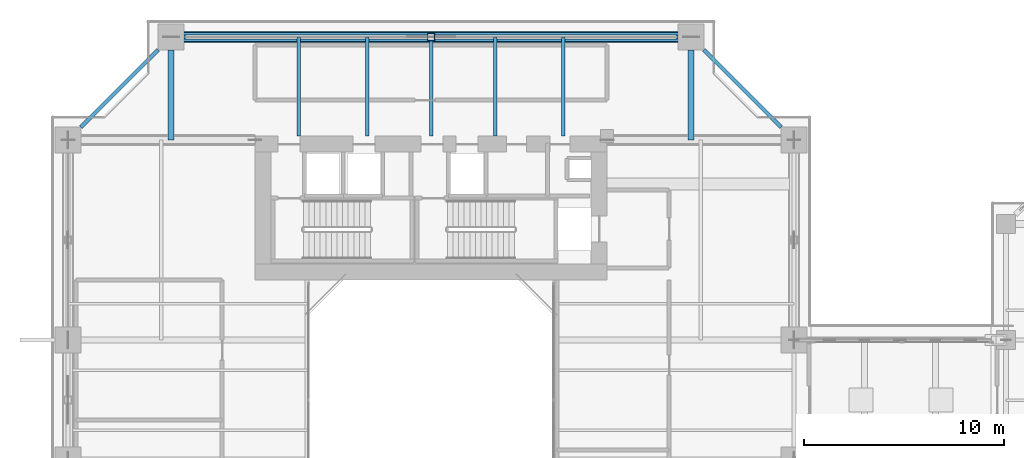
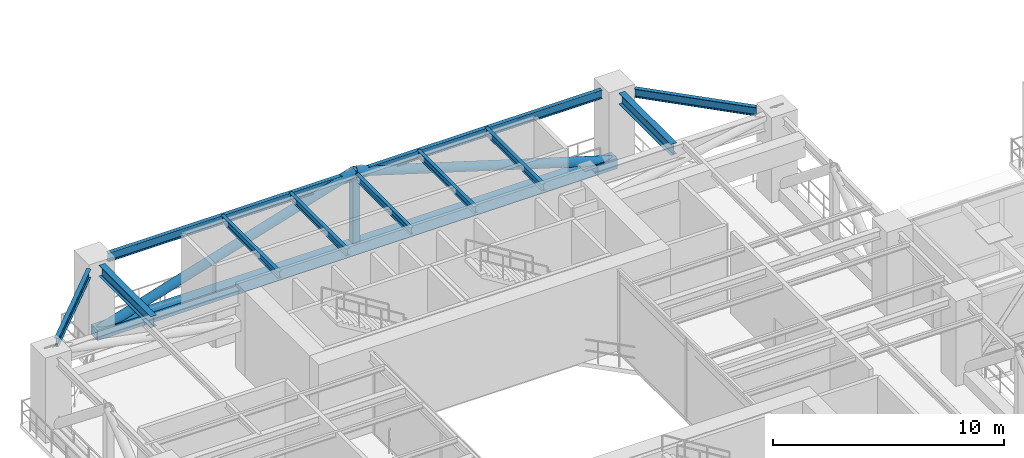
# One storey, part 9 of 26: 10 beams, 4 members.
"""IFC4 building model written with IfcOpenShell, lengths in metres."""

import ifcopenshell
import ifcopenshell.guid

model = None  # the IFC model being written
_history = None  # IfcOwnerHistory: only IFC2X3 demands one
_inside = {}  # id of a spatial element -> (the spatial element, [elements in it])
_under = {}  # id of a project, library or spatial element -> (it, [spatial elements below it])
_declared = {}  # id of a project -> (the project, [libraries it declares])
_typed = {}  # id of a type object -> (the type object, [elements of that type])
_made_of = {}  # id of a material, layer set ... -> (it, [elements and type objects made of it])


def new_model(schema):
    """Start an empty IFC model of exactly this schema.

    Asked for "IFC4X3", IfcOpenShell would pick the latest addendum, in which some entities
    have other attributes; the version numbers below select the first issue.
    IFC2X3 requires an IfcOwnerHistory on every rooted entity: one is made here for all.
    """
    global model, _history
    if schema == "IFC4X3":
        model = ifcopenshell.file(schema_version=(4, 3, 0, 0))
    else:
        model = ifcopenshell.file(schema=schema)
    _inside.clear()
    _under.clear()
    _declared.clear()
    _typed.clear()
    _made_of.clear()
    _history = None
    if model.schema == "IFC2X3":
        org = make("IfcOrganization", Name="unknown")
        user = make(
            "IfcPersonAndOrganization",
            ThePerson=make("IfcPerson", FamilyName="unknown"),
            TheOrganization=org,
        )
        app = make(
            "IfcApplication",
            ApplicationDeveloper=org,
            Version="unknown",
            ApplicationFullName="unknown",
            ApplicationIdentifier="unknown",
        )
        _history = make(
            "IfcOwnerHistory",
            OwningUser=user,
            OwningApplication=app,
            ChangeAction="ADDED",
            CreationDate=0,
        )
    return model


def make(cls, **values):
    """One entity of the class cls with the attributes given. An attribute that is None is left unset."""
    return model.create_entity(
        cls, **{name: value for name, value in values.items() if value is not None}
    )


def rooted(cls, **values):
    """An entity with a GlobalId (a new one), such as an element, a storey or a relation."""
    return make(cls, GlobalId=ifcopenshell.guid.new(), OwnerHistory=_history, **values)


def si_unit(unit_type, name, prefix=None):
    """IfcSIUnit, for example si_unit("LENGTHUNIT", "METRE", prefix="MILLI")."""
    return make("IfcSIUnit", UnitType=unit_type, Prefix=prefix, Name=name)


def assignment(units):
    """IfcUnitAssignment: the units of a project."""
    return None if units is None else make("IfcUnitAssignment", Units=units)


def point(xyz):
    """IfcCartesianPoint."""
    return None if xyz is None else make("IfcCartesianPoint", Coordinates=xyz)


def direction(xyz):
    """IfcDirection."""
    return None if xyz is None else make("IfcDirection", DirectionRatios=xyz)


def frame(location, z_axis=None, x_axis=None):
    """IfcAxis2Placement3D, a coordinate frame: its origin and axes. An axis left out is left unset."""
    return make(
        "IfcAxis2Placement3D",
        Location=point(location),
        Axis=direction(z_axis),
        RefDirection=direction(x_axis),
    )


def frame_2d(location, x_axis=None):
    """IfcAxis2Placement2D, a coordinate frame in the plane: its origin and x axis."""
    return make(
        "IfcAxis2Placement2D", Location=point(location), RefDirection=direction(x_axis)
    )


def origin():
    """The frame at (0, 0, 0) with its axes left unset."""
    return frame((0.0, 0.0, 0.0))


def origin_2d():
    """The frame at (0, 0) in the plane with its x axis left unset."""
    return frame_2d((0.0, 0.0))


def place(relative_to, where):
    """IfcLocalPlacement: puts the frame where relative to a parent placement (None: the world)."""
    return make(
        "IfcLocalPlacement", PlacementRelTo=relative_to, RelativePlacement=where
    )


def context(
    kind, dimensions, precision=None, world=None, true_north=None, identifier=None
):
    """IfcGeometricRepresentationContext, for example the 3D "Model" context."""
    return make(
        "IfcGeometricRepresentationContext",
        ContextIdentifier=identifier,
        ContextType=kind,
        CoordinateSpaceDimension=dimensions,
        Precision=precision,
        WorldCoordinateSystem=world,
        TrueNorth=true_north,
    )


def subcontext(parent, identifier, kind, view, scale=None):
    """IfcGeometricRepresentationSubContext, for example "Body" below "Model"."""
    return make(
        "IfcGeometricRepresentationSubContext",
        ContextIdentifier=identifier,
        ContextType=kind,
        ParentContext=parent,
        TargetScale=scale,
        TargetView=view,
    )


def project(units=None, contexts=None):
    """IfcProject with its units and contexts."""
    return rooted(
        "IfcProject",
        Name="project",
        RepresentationContexts=contexts,
        UnitsInContext=assignment(units),
    )


def spatial(cls, under=None, at=None, **own):
    """A site, building, storey or space (cls), placed at a placement, below another one or the project."""
    s = rooted(cls, ObjectPlacement=at, **own)
    if under is not None:
        _under.setdefault(under.id(), (under, []))[1].append(s)
    return s


def profile(cls, at=None, kind="AREA", **sizes):
    """A parametric profile (cls). Its sizes go by their IFC names, for example OverallWidth=200.0."""
    return make(cls, ProfileType=kind, Position=at, **sizes)


def hollow_rectangle(**sizes):
    """IfcRectangleHollowProfileDef."""
    return profile("IfcRectangleHollowProfileDef", **sizes)


def hollow_circle(**sizes):
    """IfcCircleHollowProfileDef."""
    return profile("IfcCircleHollowProfileDef", **sizes)


def i_section(**sizes):
    """IfcIShapeProfileDef."""
    return profile("IfcIShapeProfileDef", **sizes)


def extrude(swept, where, along, depth):
    """IfcExtrudedAreaSolid: the profile swept, set in the frame where, extruded along a direction by depth."""
    return make(
        "IfcExtrudedAreaSolid",
        SweptArea=swept,
        Position=where,
        ExtrudedDirection=direction(along),
        Depth=depth,
    )


def shape(context_of_items, identifier, shape_type, items):
    """IfcShapeRepresentation: the items that make up one representation, for example the "Body"."""
    return make(
        "IfcShapeRepresentation",
        ContextOfItems=context_of_items,
        RepresentationIdentifier=identifier,
        RepresentationType=shape_type,
        Items=items,
    )


def source(mapping_origin, context_of_items, identifier, shape_type, items):
    """IfcRepresentationMap: a shape defined once, which mapped items show again and again."""
    return make(
        "IfcRepresentationMap",
        MappingOrigin=mapping_origin,
        MappedRepresentation=shape(context_of_items, identifier, shape_type, items),
    )


def transform(
    local_origin,
    x_axis=None,
    y_axis=None,
    z_axis=None,
    scale=None,
    scale2=None,
    scale3=None,
    uniform=True,
):
    """IfcCartesianTransformationOperator3D, or its non-uniform kind. x_axis, y_axis, z_axis: its Axis1, 2, 3."""
    if uniform:
        return make(
            "IfcCartesianTransformationOperator3D",
            Axis1=direction(x_axis),
            Axis2=direction(y_axis),
            LocalOrigin=point(local_origin),
            Scale=scale,
            Axis3=direction(z_axis),
        )
    return make(
        "IfcCartesianTransformationOperator3DnonUniform",
        Axis1=direction(x_axis),
        Axis2=direction(y_axis),
        LocalOrigin=point(local_origin),
        Scale=scale,
        Axis3=direction(z_axis),
        Scale2=scale2,
        Scale3=scale3,
    )


def mapped(mapping_source, mapping_target):
    """IfcMappedItem: shows the shape of a source again, moved by a transform."""
    return make(
        "IfcMappedItem", MappingSource=mapping_source, MappingTarget=mapping_target
    )


def material(Name=None, Category=None):
    """IfcMaterial."""
    return make("IfcMaterial", Name=Name, Category=Category)


def material_profile(
    of_material, cross_section, Name=None, Category=None, Priority=None
):
    """IfcMaterialProfile: a cross section and its material."""
    return make(
        "IfcMaterialProfile",
        Name=Name,
        Material=of_material,
        Profile=cross_section,
        Priority=Priority,
        Category=Category,
    )


def profile_set(profiles, Name=None, composite=None):
    """IfcMaterialProfileSet."""
    return make(
        "IfcMaterialProfileSet",
        Name=Name,
        MaterialProfiles=profiles,
        CompositeProfile=composite,
    )


def made_of(thing, what):
    """Note that an element or type object is made of a material, layer set ...; save() writes the relation."""
    if what is not None:
        _made_of.setdefault(what.id(), (what, []))[1].append(thing)
    return thing


def type_object(cls, material=None, **own):
    """A type object (cls), such as IfcWallType, which elements share."""
    return made_of(rooted(cls, **own), material)


def element(
    cls,
    number,
    at=None,
    inside=None,
    cuts=None,
    type_object=None,
    material=None,
    context=None,
    identifier="Body",
    shape_type=None,
    held_by="IfcProductDefinitionShape",
    body=None,
    shapes=None,
    **own,
):
    """One element of the class cls, such as IfcWall. Its Tag is "e" and its number.

    at: its placement. inside: the storey or other place that contains it. cuts: it is an
    opening in that element (IfcRelVoidsElement). A single representation is given by context,
    identifier, shape_type and body (its items); several are given by shapes. held_by: the class
    of the entity that holds the representations. save() writes the other relations.
    """
    e = rooted(cls, Tag="e%d" % number, ObjectPlacement=at, **own)
    if body is not None:
        shapes = [shape(context, identifier, shape_type, body)]
    if shapes is not None:
        e.Representation = make(held_by, Representations=shapes)
    if inside is not None:
        _inside.setdefault(inside.id(), (inside, []))[1].append(e)
    if cuts is not None:
        rooted(
            "IfcRelVoidsElement", RelatingBuildingElement=cuts, RelatedOpeningElement=e
        )
    if type_object is not None:
        _typed.setdefault(type_object.id(), (type_object, []))[1].append(e)
    return made_of(e, material)


def aggregate(whole, parts):
    """IfcRelAggregates: a whole, such as a stair, and the parts it consists of."""
    return rooted("IfcRelAggregates", RelatingObject=whole, RelatedObjects=parts)


def save(model, path):
    """Write the relations noted so far, then the file.

    IfcRelAggregates (storeys below a building ...), IfcRelContainedInSpatialStructure (elements
    in a storey), IfcRelDefinesByType, IfcRelAssociatesMaterial and IfcRelDeclares: one each for
    every whole, place, type object, material and project.
    """
    for whole, parts in _under.values():
        aggregate(whole, parts)
    for where, things in _inside.values():
        rooted(
            "IfcRelContainedInSpatialStructure",
            RelatedElements=things,
            RelatingStructure=where,
        )
    for kind, things in _typed.values():
        rooted("IfcRelDefinesByType", RelatedObjects=things, RelatingType=kind)
    for what, things in _made_of.values():
        rooted("IfcRelAssociatesMaterial", RelatedObjects=things, RelatingMaterial=what)
    for by, libraries in _declared.values():
        rooted("IfcRelDeclares", RelatingContext=by, RelatedDefinitions=libraries)
    model.write(path)


model = new_model("IFC4")

# Units and contexts
model_context = context("Model", 3, precision=1e-05, world=origin(), true_north=direction((0.0, 1.0)))
body_context = subcontext(model_context, "Body", "Model", "MODEL_VIEW")
ifc_project = project(units=[si_unit("LENGTHUNIT", "METRE"), si_unit("AREAUNIT", "SQUARE_METRE"), si_unit("VOLUMEUNIT", "CUBIC_METRE"), si_unit("PLANEANGLEUNIT", "RADIAN"), si_unit("MASSUNIT", "GRAM", prefix="KILO"), si_unit("THERMODYNAMICTEMPERATUREUNIT", "KELVIN"), si_unit("POWERUNIT", "WATT")], contexts=[model_context])

# Site, building, storey
site_placement = place(None, origin())
site = spatial("IfcSite", under=ifc_project, at=site_placement, CompositionType="ELEMENT")
building_placement = place(site_placement, origin())
building = spatial("IfcBuilding", under=site, at=building_placement, Name="Qiaomeng Ring Towers", CompositionType="ELEMENT")
storey_placement = place(building_placement, frame((0.0, 0.0, 45.75)))
storey = spatial("IfcBuildingStorey", under=building, at=storey_placement, Name="L12", CompositionType="ELEMENT", Elevation=45.75)

# Beams
ifc_material_1 = material(Name="Steel Q355B", Category="steel")
ifc_material_profile_1 = material_profile(ifc_material_1, i_section(OverallWidth=0.199951171875, OverallDepth=0.449951171875, WebThickness=0.009033203125, FlangeThickness=0.013916015625, FilletRadius=0.01806640625, at=origin_2d()), Name="HN 450x200x9x14")
ifc_profile_set_1 = profile_set([ifc_material_profile_1], Name="Steel Q355B")
beam_type_1 = type_object("IfcBeamType", Name="STR-BM-HN450", PredefinedType="SPANDREL", material=ifc_profile_set_1)
shared_shape_1 = source(origin(), body_context, "Body", "SweptSolid", [
    extrude(i_section(OverallWidth=0.199951171875, OverallDepth=0.449951171875, WebThickness=0.009033203125, FlangeThickness=0.013916015625, FilletRadius=0.01806640625, at=origin_2d()), origin(), (0.0, 0.0, 1.0), 24.7021484375),
])
beam_placement = place(storey_placement, frame((31.35107421875, 41.14990234375, 4.094970703125), z_axis=(-1.0, 0.0, 0.0), x_axis=(0.0, -1.0, 0.0)))
element("IfcBeam", 1, at=beam_placement, inside=storey, type_object=beam_type_1, Name="L12 beam STR-SP-L12-T1-N2-N1", PredefinedType="SPANDREL", context=body_context, shape_type="MappedRepresentation", body=[
    mapped(shared_shape_1, transform((0.0, 0.0, 0.0), x_axis=(1.0, 0.0, 0.0), y_axis=(0.0, 1.0, 0.0), z_axis=(0.0, 0.0, 1.0), scale=1.0)),
])
shared_shape_2 = source(origin(), body_context, "Body", "SweptSolid", [
    extrude(i_section(OverallWidth=0.199951171875, OverallDepth=0.449951171875, WebThickness=0.009033203125, FlangeThickness=0.013916015625, FilletRadius=0.01806640625, at=origin_2d()), origin(), (0.0, 0.0, 1.0), 5.446533203125),
])
for number, where, z_axis, x_axis, name in (
    (2, (36.500732421875, 36.6494140625, 4.094970703125), (-0.707106781187, 0.707106781187, 0.0), (-0.707106781187, -0.707106781187, 0.0), "L12 beam STR-SP-L12-T1-E4-N2"),
    (3, (5.3505859375, 40.500732421875, 4.094970703125), (-0.707106781187, -0.707106781187, 0.0), (0.707106781187, -0.707106781187, 0.0), "L12 beam STR-SP-L12-T1-N1-W4"),
):
    element("IfcBeam", number, at=place(storey_placement, frame(where, z_axis=z_axis, x_axis=x_axis)), inside=storey, type_object=beam_type_1, Name=name, PredefinedType="SPANDREL", context=body_context, shape_type="MappedRepresentation", body=[
        mapped(shared_shape_2, transform((0.0, 0.0, 0.0), x_axis=(1.0, 0.0, 0.0), y_axis=(0.0, 1.0, 0.0), z_axis=(0.0, 0.0, 1.0), scale=1.0)),
    ])
ifc_material_profile_2 = material_profile(ifc_material_1, i_section(OverallWidth=0.300048828125, OverallDepth=0.587890625, WebThickness=0.011962890625, FlangeThickness=0.02001953125, FilletRadius=0.028076171875, at=origin_2d()), Name="HM 588x300x12x20")
ifc_profile_set_2 = profile_set([ifc_material_profile_2], Name="Steel Q355B")
beam_type_2 = type_object("IfcBeamType", Name="STR-BM-HM588", PredefinedType="BEAM", material=ifc_profile_set_2)
shared_shape_3 = source(origin(), body_context, "Body", "SweptSolid", [
    extrude(i_section(OverallWidth=0.300048828125, OverallDepth=0.587890625, WebThickness=0.011962890625, FlangeThickness=0.02001953125, FilletRadius=0.028076171875, at=origin_2d()), origin(), (0.0, 0.0, 1.0), 4.5009765625),
])
for number, where, z_axis, x_axis, name in (
    (4, (6.0, 40.5009765625, 4.02587890625), (0.0, -1.0, 0.0), (1.0, 0.0, 0.0), "L12 beam STR-BM-L12-T1-RAD-N1"),
    (5, (32.0, 40.5009765625, 4.02587890625), (0.0, -1.0, 0.0), (1.0, 0.0, 0.0), "L12 beam STR-BM-L12-T1-RAD-N2"),
):
    element("IfcBeam", number, at=place(storey_placement, frame(where, z_axis=z_axis, x_axis=x_axis)), inside=storey, type_object=beam_type_2, Name=name, PredefinedType="BEAM", context=body_context, shape_type="MappedRepresentation", body=[
        mapped(shared_shape_3, transform((0.0, 0.0, 0.0), x_axis=(1.0, 0.0, 0.0), y_axis=(0.0, 1.0, 0.0), z_axis=(0.0, 0.0, 1.0), scale=1.0)),
    ])
ifc_material_profile_3 = material_profile(ifc_material_1, i_section(OverallWidth=0.175048828125, OverallDepth=0.35009765625, WebThickness=0.007080078125, FlangeThickness=0.010986328125, FilletRadius=0.013916015625, at=origin_2d()), Name="HN 350x175x7x11")
ifc_profile_set_3 = profile_set([ifc_material_profile_3], Name="Steel Q355B")
beam_type_3 = type_object("IfcBeamType", Name="STR-BM-HN350", PredefinedType="JOIST", material=ifc_profile_set_3)
shared_shape_4 = source(origin(), body_context, "Body", "SweptSolid", [
    extrude(i_section(OverallWidth=0.175048828125, OverallDepth=0.35009765625, WebThickness=0.007080078125, FlangeThickness=0.010986328125, FilletRadius=0.013916015625, at=origin_2d()), origin(), (0.0, 0.0, 1.0), 4.949951171875),
])
for number, where, z_axis, x_axis, name in (
    (6, (12.39990234375, 36.199951171875, 4.14501953125), (0.0, 1.0, 0.0), (-1.0, 0.0, 0.0), "L12 beam STR-JST-L12-T1N-1"),
    (7, (15.800048828125, 36.199951171875, 4.14501953125), (0.0, 1.0, 0.0), (-1.0, 0.0, 0.0), "L12 beam STR-JST-L12-T1N-2"),
    (8, (19.0, 36.199951171875, 4.14501953125), (0.0, 1.0, 0.0), (-1.0, 0.0, 0.0), "L12 beam STR-JST-L12-T1N-3"),
    (9, (22.199951171875, 36.199951171875, 4.14501953125), (0.0, 1.0, 0.0), (-1.0, 0.0, 0.0), "L12 beam STR-JST-L12-T1N-4"),
    (10, (25.60009765625, 36.199951171875, 4.14501953125), (0.0, 1.0, 0.0), (-1.0, 0.0, 0.0), "L12 beam STR-JST-L12-T1N-5"),
):
    element("IfcBeam", number, at=place(storey_placement, frame(where, z_axis=z_axis, x_axis=x_axis)), inside=storey, type_object=beam_type_3, Name=name, PredefinedType="JOIST", context=body_context, shape_type="MappedRepresentation", body=[
        mapped(shared_shape_4, transform((0.0, 0.0, 0.0), x_axis=(1.0, 0.0, 0.0), y_axis=(0.0, 1.0, 0.0), z_axis=(0.0, 0.0, 1.0), scale=1.0)),
    ])

# Members
ifc_material_2 = material(Name="Steel Q390GJC", Category="steel")
ifc_material_profile_4 = material_profile(ifc_material_2, hollow_rectangle(XDim=0.550048828125, YDim=0.550048828125, WallThickness=0.031982421875, at=origin_2d()), Name="SHS 550x550x32")
ifc_profile_set_4 = profile_set([ifc_material_profile_4], Name="Steel Q390GJC")
member_type_1 = type_object("IfcMemberType", Name="STR-MB-CHORD-550", PredefinedType="CHORD", material=ifc_profile_set_4)
shared_shape_5 = source(origin(), body_context, "Body", "SweptSolid", [
    extrude(hollow_rectangle(XDim=0.550048828125, YDim=0.550048828125, WallThickness=0.031982421875, at=origin_2d()), origin(), (0.0, 0.0, 1.0), 26.0),
])
member_1_placement = place(storey_placement, frame((32.0, 41.14990234375, 0.320068359375), z_axis=(-1.0, 0.0, 0.0), x_axis=(0.0, -1.0, 0.0)))
element("IfcMember", 11, at=member_1_placement, inside=storey, type_object=member_type_1, Name="L12 Belt Truss Bottom Chord N2-N1", PredefinedType="CHORD", context=body_context, shape_type="MappedRepresentation", body=[
    mapped(shared_shape_5, transform((0.0, 0.0, 0.0), x_axis=(1.0, 0.0, 0.0), y_axis=(0.0, 1.0, 0.0), z_axis=(0.0, 0.0, 1.0), scale=1.0)),
])
ifc_material_profile_5 = material_profile(ifc_material_2, hollow_circle(Radius=0.228515625, WallThickness=0.028076171875, at=origin_2d()), Name="CHS 457x28")
ifc_profile_set_5 = profile_set([ifc_material_profile_5], Name="Steel Q390GJC")
member_type_2 = type_object("IfcMemberType", Name="STR-MB-BR-457", PredefinedType="BRACE", material=ifc_profile_set_5)
shared_shape_6 = source(origin(), body_context, "Body", "SweptSolid", [
    extrude(hollow_circle(Radius=0.228515625, WallThickness=0.028076171875, at=origin_2d()), origin(), (0.0, 0.0, 1.0), 13.595703125),
])
for number, where, z_axis, x_axis, name in (
    (12, (32.0, 41.14990234375, 0.320068359375), (-0.956191954359, 0.0, 0.292740407902), (0.0, -1.0, 0.0), "L12 Belt Truss Diagonal N2-M"),
    (13, (6.0, 41.14990234375, 0.320068359375), (0.956191954359, 0.0, 0.292740407902), (0.0, 1.0, 0.0), "L12 Belt Truss Diagonal N1-M"),
):
    element("IfcMember", number, at=place(storey_placement, frame(where, z_axis=z_axis, x_axis=x_axis)), inside=storey, type_object=member_type_2, Name=name, PredefinedType="BRACE", context=body_context, shape_type="MappedRepresentation", body=[
        mapped(shared_shape_6, transform((0.0, 0.0, 0.0), x_axis=(1.0, 0.0, 0.0), y_axis=(0.0, 1.0, 0.0), z_axis=(0.0, 0.0, 1.0), scale=1.0)),
    ])
ifc_material_profile_6 = material_profile(ifc_material_2, hollow_rectangle(XDim=0.35009765625, YDim=0.35009765625, WallThickness=0.02001953125, at=origin_2d()), Name="SHS 350x350x20")
ifc_profile_set_6 = profile_set([ifc_material_profile_6], Name="Steel Q390GJC")
member_type_3 = type_object("IfcMemberType", Name="STR-MB-POST-350", PredefinedType="POST", material=ifc_profile_set_6)
shared_shape_7 = source(origin(), body_context, "Body", "SweptSolid", [
    extrude(hollow_rectangle(XDim=0.35009765625, YDim=0.35009765625, WallThickness=0.02001953125, at=origin_2d()), origin(), (0.0, 0.0, 1.0), 4.0),
])
member_2_placement = place(storey_placement, frame((19.0, 41.14990234375, 0.320068359375), z_axis=(0.0, 0.0, 1.0), x_axis=(1.0, 0.0, 0.0)))
element("IfcMember", 14, at=member_2_placement, inside=storey, type_object=member_type_3, Name="L12 Belt Truss Post N2-N1", PredefinedType="POST", context=body_context, shape_type="MappedRepresentation", body=[
    mapped(shared_shape_7, transform((0.0, 0.0, 0.0), x_axis=(1.0, 0.0, 0.0), y_axis=(0.0, 1.0, 0.0), z_axis=(0.0, 0.0, 1.0), scale=1.0)),
])

save(model, "model.ifc")
